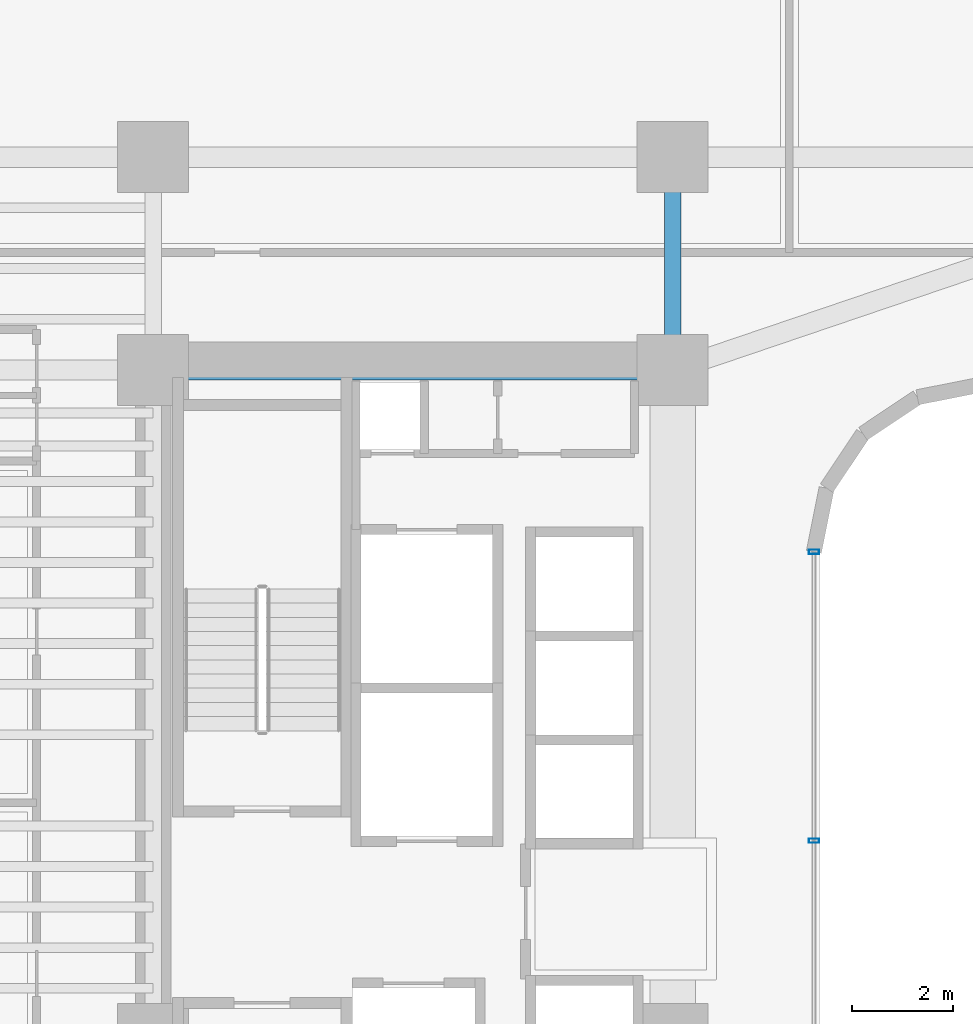
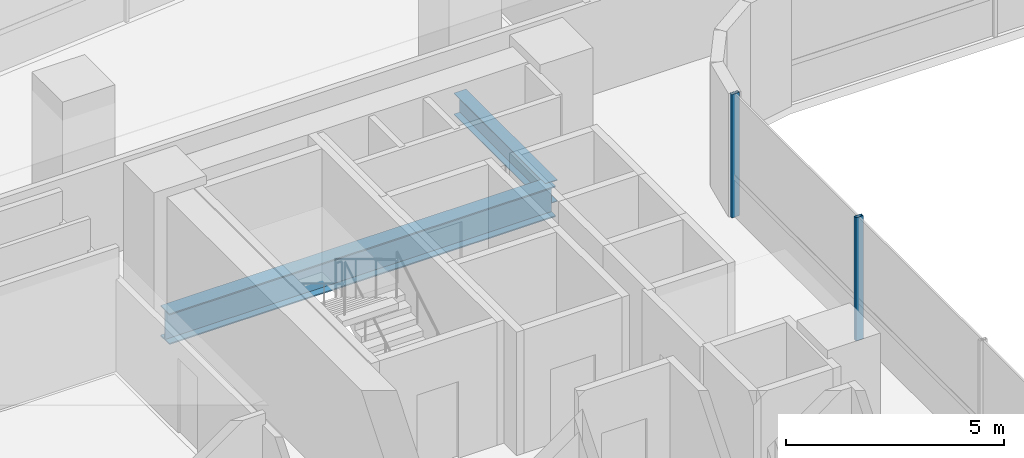
# One storey, part 10 of 39: 2 beams, 2 members, 1 element without a shape of its own.
"""IFC4 building model written with IfcOpenShell, lengths in metres."""

from ifc_helpers import new_model, si_unit, direction, frame, origin, origin_2d, place, context, subcontext, project, spatial, hollow_rectangle, i_section, extrude, source, transform, mapped, material, material_profile, profile_set, type_object, element, aggregate, save


model = new_model("IFC4")

# Units and contexts
model_context = context("Model", 3, precision=1e-05, world=origin(), true_north=direction((0.0, 1.0)))
body_context = subcontext(model_context, "Body", "Model", "MODEL_VIEW")
ifc_project = project(units=[si_unit("LENGTHUNIT", "METRE"), si_unit("AREAUNIT", "SQUARE_METRE"), si_unit("VOLUMEUNIT", "CUBIC_METRE"), si_unit("PLANEANGLEUNIT", "RADIAN"), si_unit("MASSUNIT", "GRAM", prefix="KILO")], contexts=[model_context])

# Site, building, storey
site_placement = place(None, origin())
site = spatial("IfcSite", under=ifc_project, at=site_placement, CompositionType="ELEMENT")
building_placement = place(site_placement, origin())
building = spatial("IfcBuilding", under=site, at=building_placement, Name="Valdorenza Pilgrim Sanctuary Tower", CompositionType="ELEMENT")
storey_placement = place(building_placement, frame((0.0, 0.0, 74.10009765625)))
storey = spatial("IfcBuildingStorey", under=building, at=storey_placement, Name="L18", CompositionType="ELEMENT", Elevation=74.10009765625)

# Beams
ifc_material_1 = material(Name="Steel ASTM A992 Grade 50", Category="steel")
ifc_material_profile_1 = material_profile(ifc_material_1, i_section(OverallWidth=0.323974609375, OverallDepth=0.611083984375, WebThickness=0.0126953125, FlangeThickness=0.01904296875, at=origin_2d()), Name="W24X104")
ifc_profile_set_1 = profile_set([ifc_material_profile_1], Name="Steel ASTM A992 Grade 50")
beam_type_1 = type_object("IfcBeamType", Name="STR-BM-GRD-W24B", PredefinedType="BEAM", material=ifc_profile_set_1)
shared_shape_1 = source(origin(), body_context, "Body", "SweptSolid", [
    extrude(i_section(OverallWidth=0.323974609375, OverallDepth=0.611083984375, WebThickness=0.0126953125, FlangeThickness=0.01904296875, at=origin_2d()), origin(), (0.0, 0.0, 1.0), 4.199951171875),
])
beam_1_placement = place(storey_placement, frame((-12.39990234375, 10.60009765625, -0.545654296875), z_axis=(0.0, 1.0, 0.0), x_axis=(-1.0, 0.0, 0.0)))
element("IfcBeam", 1, at=beam_1_placement, inside=storey, type_object=beam_type_1, Name="L18 Core Tie Girder CA-E-N1N2", PredefinedType="BEAM", context=body_context, shape_type="MappedRepresentation", body=[
    mapped(shared_shape_1, transform((0.0, 0.0, 0.0), x_axis=(1.0, 0.0, 0.0), y_axis=(0.0, 1.0, 0.0), z_axis=(0.0, 0.0, 1.0), scale=1.0)),
])
ifc_material_profile_2 = material_profile(ifc_material_1, i_section(OverallWidth=0.39990234375, OverallDepth=0.862060546875, WebThickness=0.019775390625, FlangeThickness=0.032470703125, at=origin_2d()), Name="W33X221")
ifc_profile_set_2 = profile_set([ifc_material_profile_2], Name="Steel ASTM A992 Grade 50")
beam_type_2 = type_object("IfcBeamType", Name="STR-BM-GRD-W33", PredefinedType="BEAM", material=ifc_profile_set_2)
shared_shape_2 = source(origin(), body_context, "Body", "SweptSolid", [
    extrude(i_section(OverallWidth=0.39990234375, OverallDepth=0.862060546875, WebThickness=0.019775390625, FlangeThickness=0.032470703125, at=origin_2d()), origin(), (0.0, 0.0, 1.0), 10.25),
])
beam_2_placement = place(storey_placement, frame((-22.64990234375, 10.60009765625, -0.671142578125), z_axis=(1.0, 0.0, 0.0), x_axis=(0.0, 1.0, 0.0)))
element("IfcBeam", 2, at=beam_2_placement, inside=storey, type_object=beam_type_2, Name="L18 Floor Girder CA-XC-N1", PredefinedType="BEAM", context=body_context, shape_type="MappedRepresentation", body=[
    mapped(shared_shape_2, transform((0.0, 0.0, 0.0), x_axis=(1.0, 0.0, 0.0), y_axis=(0.0, 1.0, 0.0), z_axis=(0.0, 0.0, 1.0), scale=1.0)),
])

# Curtain wall, members
ifc_material_2 = material(Name="Curtain-wall IGU glazing", Category="glass")
curtain_wall_type = type_object("IfcCurtainWallType", Name="CW-SYS-02", PredefinedType="NOTDEFINED", material=ifc_material_2)
curtain_wall_placement = place(storey_placement, origin())
curtain_wall = element("IfcCurtainWall", 3, at=curtain_wall_placement, inside=storey, type_object=curtain_wall_type, Name="L18 Curtain Wall CW-L18-1-41", PredefinedType="NOTDEFINED")
ifc_material_3 = material(Name="Anodised aluminium AW-6060", Category="aluminium")
ifc_material_profile_3 = material_profile(ifc_material_3, hollow_rectangle(XDim=0.0849609375, YDim=0.199951171875, WallThickness=0.0048828125, at=origin_2d()), Name="ALU-M 200x85x5")
ifc_profile_set_3 = profile_set([ifc_material_profile_3], Name="Anodised aluminium AW-6060")
member_type = type_object("IfcMemberType", Name="CW-MUL-02", PredefinedType="MULLION", material=ifc_profile_set_3)
shared_shape_3 = source(origin(), body_context, "Body", "SweptSolid", [
    extrude(hollow_rectangle(XDim=0.0849609375, YDim=0.199951171875, WallThickness=0.0048828125, at=origin_2d()), origin(), (0.0, 0.0, 1.0), 3.4599609375),
])
member_1_placement = place(storey_placement, frame((-9.610107421875, 7.0107421875, 0.0), z_axis=(0.0, 0.0, 1.0), x_axis=(0.0, -1.0, 0.0)))
member_1 = element("IfcMember", 4, at=member_1_placement, type_object=member_type, Name="CW-L18-1-41 Mullion 1", PredefinedType="MULLION", context=body_context, shape_type="MappedRepresentation", body=[
    mapped(shared_shape_3, transform((0.0, 0.0, 0.0), x_axis=(1.0, 0.0, 0.0), y_axis=(0.0, 1.0, 0.0), z_axis=(0.0, 0.0, 1.0), scale=1.0)),
])
member_2_placement = place(storey_placement, frame((-9.610107421875, 1.310791015625, 0.0), z_axis=(0.0, 0.0, 1.0), x_axis=(0.0, -1.0, 0.0)))
member_2 = element("IfcMember", 5, at=member_2_placement, type_object=member_type, Name="CW-L18-1-41 Mullion 2", PredefinedType="MULLION", context=body_context, shape_type="MappedRepresentation", body=[
    mapped(shared_shape_3, transform((0.0, 0.0, 0.0), x_axis=(1.0, 0.0, 0.0), y_axis=(0.0, 1.0, 0.0), z_axis=(0.0, 0.0, 1.0), scale=1.0)),
])
aggregate(curtain_wall, [member_1, member_2])

save(model, "model.ifc")
